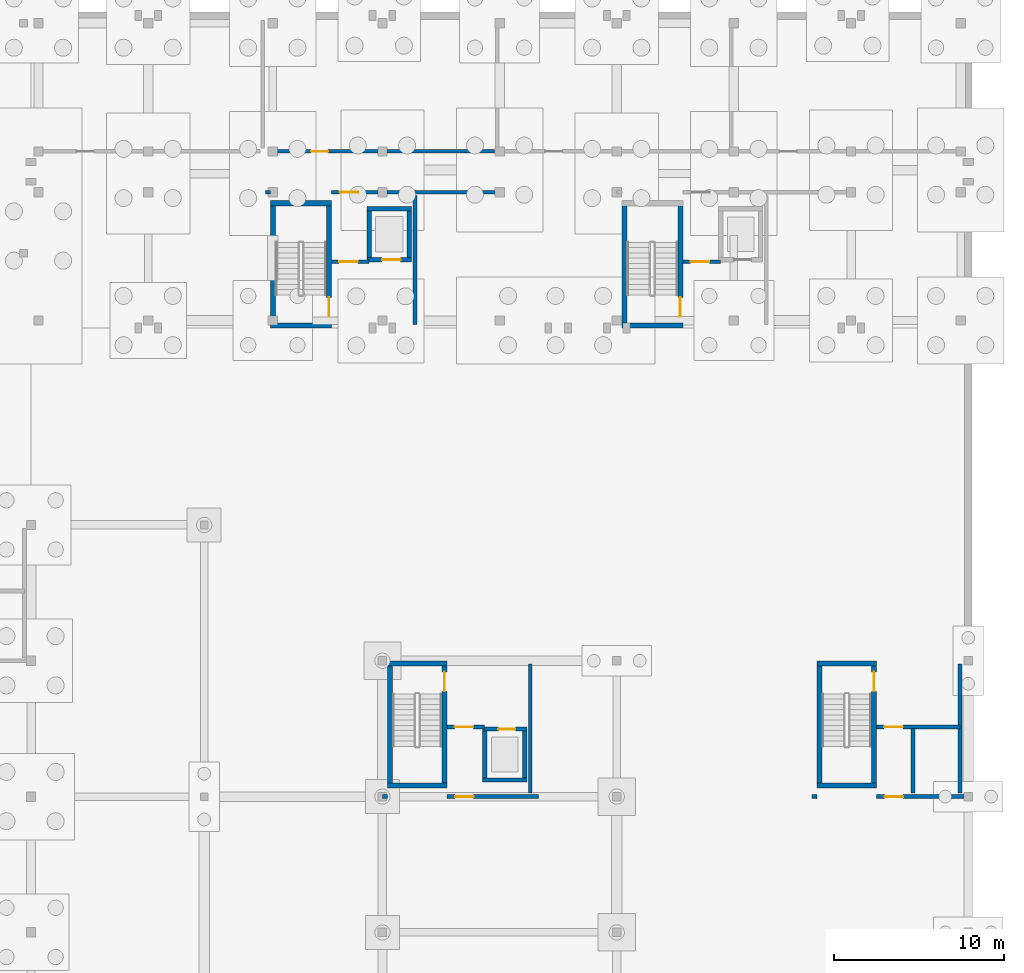
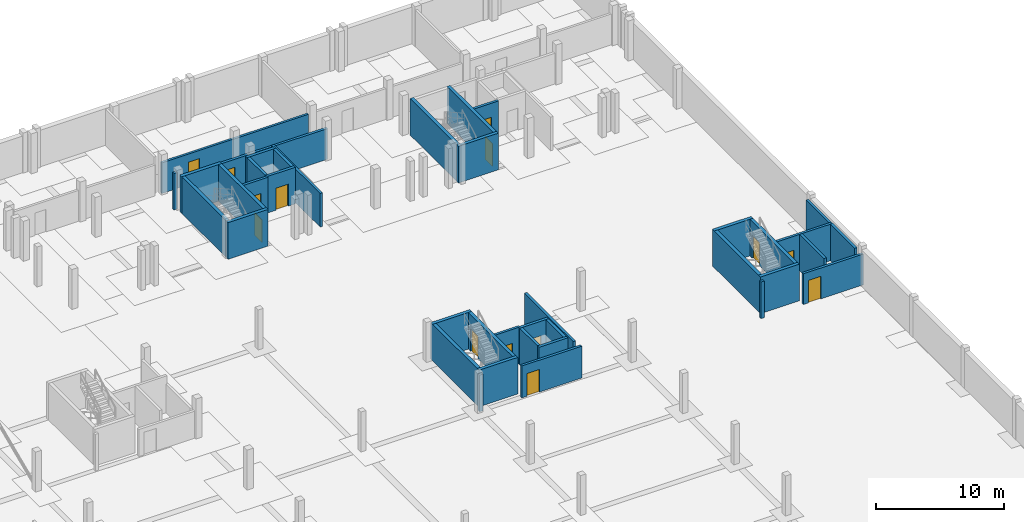
# One storey, part 28 of 38: 38 walls, 14 doors, 14 openings.
"""IFC4 building model written with IfcOpenShell, lengths in metres."""

from ifc_helpers import new_model, si_unit, direction, frame, frame_2d, origin, origin_with_axes, place, context, subcontext, project, spatial, rectangle, extrude, material, layer, layer_set, type_object, element, fill, save


model = new_model("IFC4")

# Units and contexts
model_context = context("Model", 3, precision=1e-05, world=origin(), true_north=direction((0.0, 1.0)))
body_context = subcontext(model_context, "Body", "Model", "MODEL_VIEW")
ifc_project = project(units=[si_unit("LENGTHUNIT", "METRE"), si_unit("AREAUNIT", "SQUARE_METRE"), si_unit("VOLUMEUNIT", "CUBIC_METRE"), si_unit("PLANEANGLEUNIT", "RADIAN"), si_unit("MASSUNIT", "GRAM", prefix="KILO")], contexts=[model_context])

# Site, building, storey
site_placement = place(None, origin())
site = spatial("IfcSite", under=ifc_project, at=site_placement, CompositionType="ELEMENT")
building_placement = place(site_placement, origin())
building = spatial("IfcBuilding", under=site, at=building_placement, Name="Zavelmont Quarter", CompositionType="ELEMENT")
storey_placement = place(building_placement, frame((0.0, 0.0, -3.800048828125)))
storey = spatial("IfcBuildingStorey", under=building, at=storey_placement, Name="B01", CompositionType="ELEMENT", Elevation=-3.800048828125)

# Wall, opening, door
ifc_material_1 = material(Name="Calcium-silicate blockwork and acoustic plaster", Category="masonry")
ifc_layer_1 = layer(ifc_material_1, 0.199951171875)
ifc_layer_set_1 = layer_set([ifc_layer_1], Name="Calcium-silicate blockwork and acoustic plaster")
wall_type_1 = type_object("IfcWallType", Name="IW01", PredefinedType="PARTITIONING", material=ifc_layer_set_1)
wall_1_placement = place(storey_placement, frame((126.89990234375, 108.0, 0.0), z_axis=(0.0, 0.0, 1.0), x_axis=(1.0, 0.0, 0.0)))
wall_1 = element("IfcWall", 1, at=wall_1_placement, inside=storey, type_object=wall_type_1, Name="B01 Basement storage wall IW01", PredefinedType="PARTITIONING", context=body_context, shape_type="SweptSolid", body=[
    extrude(rectangle(XDim=13.2001953125, YDim=0.199951171875, at=frame_2d((6.60009765625, 0.0))), origin(), (0.0, 0.0, 1.0), 2.920166015625),
])
opening_1_placement = place(wall_1_placement, frame((2.39990234375, 0.0, 0.0)))
opening_1 = element("IfcOpeningElement", 2, at=opening_1_placement, cuts=wall_1, Name="Opening DR07", PredefinedType="OPENING", context=body_context, shape_type="SweptSolid", body=[
    extrude(rectangle(XDim=1.0, YDim=2.14990234375, at=frame_2d((0.5, 1.074951171875))), frame((0.0, 0.11181640625, 0.0), z_axis=(0.0, -1.0, 0.0), x_axis=(1.0, 0.0, 0.0)), (0.0, 0.0, 1.0), 0.223876953125),
])
ifc_material_2 = material(Name="Solid-core oak fire leaf in steel frame", Category="steel")
door_type_1 = type_object("IfcDoorType", Name="DR07", OperationType="NOTDEFINED", PredefinedType="DOOR", material=ifc_material_2)
door_1_placement = place(opening_1_placement, origin_with_axes())
door_1 = element("IfcDoor", 3, at=door_1_placement, inside=storey, type_object=door_type_1, Name="B01 door DR07", OperationType="SINGLE_SWING_RIGHT", OverallHeight=2.14990234375, OverallWidth=1.0, PredefinedType="DOOR", context=body_context, shape_type="SweptSolid", body=[
    extrude(rectangle(XDim=1.0, YDim=2.14990234375, at=frame_2d((0.5, 1.074951171875))), frame((0.0, 0.02490234375, 0.0), z_axis=(0.0, -1.0, 0.0), x_axis=(1.0, 0.0, 0.0)), (0.0, 0.0, 1.0), 0.050048828125),
])
fill(opening_1, door_1)

# Wall
ifc_material_3 = material(Name="Reinforced masonry fire compartment wall", Category="masonry")
ifc_layer_2 = layer(ifc_material_3, 0.22509765625)
ifc_layer_set_2 = layer_set([ifc_layer_2], Name="Reinforced masonry fire compartment wall")
wall_type_2 = type_object("IfcWallType", Name="IW02", PredefinedType="PARTITIONING", material=ifc_layer_set_2)
wall_2_placement = place(storey_placement, frame((135.409912109375, 97.800048828125, 0.0), z_axis=(0.0, 0.0, 1.0), x_axis=(0.0, 1.0, 0.0)))
element("IfcWall", 4, at=wall_2_placement, inside=storey, type_object=wall_type_2, Name="B01 Firefighting lobby enclosure wall IW02", PredefinedType="PARTITIONING", context=body_context, shape_type="SweptSolid", body=[
    extrude(rectangle(XDim=7.599853515625, YDim=0.22509765625, at=frame_2d((3.7998046875, 0.0))), origin(), (0.0, 0.0, 1.0), 3.18994140625),
])

# Wall, opening, door
wall_3_placement = place(storey_placement, frame((130.5, 101.5, 0.0), z_axis=(0.0, 0.0, 1.0), x_axis=(1.0, 0.0, 0.0)))
wall_3 = element("IfcWall", 5, at=wall_3_placement, inside=storey, type_object=wall_type_2, Name="B01 Firefighting lobby threshold wall IW02", PredefinedType="PARTITIONING", context=body_context, shape_type="SweptSolid", body=[
    extrude(rectangle(XDim=2.199951171875, YDim=0.22509765625, at=frame_2d((1.10009765625, 0.0))), origin(), (0.0, 0.0, 1.0), 3.47998046875),
])
opening_2_placement = place(wall_3_placement, frame((0.449951171875, 0.0, 0.0)))
opening_2 = element("IfcOpeningElement", 6, at=opening_2_placement, cuts=wall_3, Name="Opening DR10", PredefinedType="OPENING", context=body_context, shape_type="SweptSolid", body=[
    extrude(rectangle(XDim=1.10009765625, YDim=2.14990234375, at=frame_2d((0.550048828125, 1.074951171875))), frame((0.0, 0.12451171875, 0.0), z_axis=(0.0, -1.0, 0.0), x_axis=(1.0, 0.0, 0.0)), (0.0, 0.0, 1.0), 0.2490234375),
])
ifc_material_4 = material(Name="Painted steel lobby fire door", Category="steel")
door_type_2 = type_object("IfcDoorType", Name="DR10", OperationType="NOTDEFINED", PredefinedType="DOOR", material=ifc_material_4)
door_2_placement = place(opening_2_placement, frame((1.10009765625, 0.0, 0.0), z_axis=(0.0, 0.0, 1.0), x_axis=(-1.0, 0.0, 0.0)))
door_2 = element("IfcDoor", 7, at=door_2_placement, inside=storey, type_object=door_type_2, Name="Firefighting lobby fire door", OperationType="SINGLE_SWING_LEFT", OverallHeight=2.14990234375, OverallWidth=1.10009765625, PredefinedType="DOOR", context=body_context, shape_type="SweptSolid", body=[
    extrude(rectangle(XDim=1.10009765625, YDim=2.14990234375, at=frame_2d((0.550048828125, 1.074951171875))), frame((0.0, 0.02490234375, 0.0), z_axis=(0.0, -1.0, 0.0), x_axis=(1.0, 0.0, 0.0)), (0.0, 0.0, 1.0), 0.050048828125),
])
fill(opening_2, door_2)

# Wall
wall_4_placement = place(storey_placement, frame((126.60009765625, 105.60009765625, 0.0), z_axis=(0.0, 0.0, 1.0), x_axis=(1.0, 0.0, 0.0)))
element("IfcWall", 8, at=wall_4_placement, inside=storey, type_object=wall_type_2, Name="B01 Core corridor wall IW02", PredefinedType="PARTITIONING", context=body_context, shape_type="SweptSolid", body=[
    extrude(rectangle(XDim=0.2998046875, YDim=0.22509765625, at=frame_2d((0.14990234375, 0.0))), origin(), (0.0, 0.0, 1.0), 3.47998046875),
])

# Wall, opening, door
wall_5_placement = place(storey_placement, frame((130.5, 105.60009765625, 0.0), z_axis=(0.0, 0.0, 1.0), x_axis=(1.0, 0.0, 0.0)))
wall_5 = element("IfcWall", 9, at=wall_5_placement, inside=storey, type_object=wall_type_2, Name="B01 Core corridor fire wall IW02", PredefinedType="PARTITIONING", context=body_context, shape_type="SweptSolid", body=[
    extrude(rectangle(XDim=9.89990234375, YDim=0.22509765625, at=frame_2d((4.949951171875, 0.0))), origin(), (0.0, 0.0, 1.0), 2.920166015625),
])
opening_3_placement = place(wall_5_placement, frame((0.47509765625, 0.0, 0.0)))
opening_3 = element("IfcOpeningElement", 10, at=opening_3_placement, cuts=wall_5, Name="Opening DR10", PredefinedType="OPENING", context=body_context, shape_type="SweptSolid", body=[
    extrude(rectangle(XDim=1.10009765625, YDim=2.14990234375, at=frame_2d((0.550048828125, 1.074951171875))), frame((0.0, 0.12451171875, 0.0), z_axis=(0.0, -1.0, 0.0), x_axis=(1.0, 0.0, 0.0)), (0.0, 0.0, 1.0), 0.2490234375),
])
door_3_placement = place(opening_3_placement, frame((1.10009765625, 0.0, 0.0), z_axis=(0.0, 0.0, 1.0), x_axis=(-1.0, 0.0, 0.0)))
door_3 = element("IfcDoor", 11, at=door_3_placement, inside=storey, type_object=door_type_2, Name="Core vestibule fire door", OperationType="SINGLE_SWING_RIGHT", OverallHeight=2.14990234375, OverallWidth=1.10009765625, PredefinedType="DOOR", context=body_context, shape_type="SweptSolid", body=[
    extrude(rectangle(XDim=1.10009765625, YDim=2.14990234375, at=frame_2d((0.550048828125, 1.074951171875))), frame((0.0, 0.02490234375, 0.0), z_axis=(0.0, -1.0, 0.0), x_axis=(1.0, 0.0, 0.0)), (0.0, 0.0, 1.0), 0.050048828125),
])
fill(opening_3, door_3)

wall_6_placement = place(storey_placement, frame((151.199951171875, 101.5, 0.0), z_axis=(0.0, 0.0, 1.0), x_axis=(1.0, 0.0, 0.0)))
wall_6 = element("IfcWall", 12, at=wall_6_placement, inside=storey, type_object=wall_type_2, Name="B01 Firefighting lobby threshold wall IW02", PredefinedType="PARTITIONING", context=body_context, shape_type="SweptSolid", body=[
    extrude(rectangle(XDim=2.199951171875, YDim=0.22509765625, at=frame_2d((1.10009765625, 0.0))), origin(), (0.0, 0.0, 1.0), 3.47998046875),
])
opening_4_placement = place(wall_6_placement, frame((0.449951171875, 0.0, 0.0)))
opening_4 = element("IfcOpeningElement", 13, at=opening_4_placement, cuts=wall_6, Name="Opening DR10", PredefinedType="OPENING", context=body_context, shape_type="SweptSolid", body=[
    extrude(rectangle(XDim=1.10009765625, YDim=2.14990234375, at=frame_2d((0.550048828125, 1.074951171875))), frame((0.0, 0.12451171875, 0.0), z_axis=(0.0, -1.0, 0.0), x_axis=(1.0, 0.0, 0.0)), (0.0, 0.0, 1.0), 0.2490234375),
])
door_4_placement = place(opening_4_placement, frame((1.10009765625, 0.0, 0.0), z_axis=(0.0, 0.0, 1.0), x_axis=(-1.0, 0.0, 0.0)))
door_4 = element("IfcDoor", 14, at=door_4_placement, inside=storey, type_object=door_type_2, Name="Firefighting lobby fire door", OperationType="SINGLE_SWING_RIGHT", OverallHeight=2.14990234375, OverallWidth=1.10009765625, PredefinedType="DOOR", context=body_context, shape_type="SweptSolid", body=[
    extrude(rectangle(XDim=1.10009765625, YDim=2.14990234375, at=frame_2d((0.550048828125, 1.074951171875))), frame((0.0, 0.02490234375, 0.0), z_axis=(0.0, -1.0, 0.0), x_axis=(1.0, 0.0, 0.0)), (0.0, 0.0, 1.0), 0.050048828125),
])
fill(opening_4, door_4)

# Wall
wall_7_placement = place(storey_placement, frame((142.2099609375, 70.199951171875, 0.0), z_axis=(0.0, 0.0, 1.0), x_axis=(0.0, 1.0, 0.0)))
element("IfcWall", 15, at=wall_7_placement, inside=storey, type_object=wall_type_2, Name="B01 Firefighting lobby enclosure wall IW02", PredefinedType="PARTITIONING", context=body_context, shape_type="SweptSolid", body=[
    extrude(rectangle(XDim=7.60009765625, YDim=0.22509765625, at=frame_2d((3.800048828125, 0.0))), origin(), (0.0, 0.0, 1.0), 3.47998046875),
])

# Wall, opening, door
wall_8_placement = place(storey_placement, frame((137.300048828125, 74.10009765625, 0.0), z_axis=(0.0, 0.0, 1.0), x_axis=(1.0, 0.0, 0.0)))
wall_8 = element("IfcWall", 16, at=wall_8_placement, inside=storey, type_object=wall_type_2, Name="B01 Firefighting lobby threshold wall IW02", PredefinedType="PARTITIONING", context=body_context, shape_type="SweptSolid", body=[
    extrude(rectangle(XDim=2.199951171875, YDim=0.22509765625, at=frame_2d((1.10009765625, 0.0))), origin(), (0.0, 0.0, 1.0), 3.47998046875),
])
opening_5_placement = place(wall_8_placement, frame((0.449951171875, 0.0, 0.0)))
opening_5 = element("IfcOpeningElement", 17, at=opening_5_placement, cuts=wall_8, Name="Opening DR10", PredefinedType="OPENING", context=body_context, shape_type="SweptSolid", body=[
    extrude(rectangle(XDim=1.10009765625, YDim=2.14990234375, at=frame_2d((0.550048828125, 1.074951171875))), frame((0.0, 0.12451171875, 0.0), z_axis=(0.0, -1.0, 0.0), x_axis=(1.0, 0.0, 0.0)), (0.0, 0.0, 1.0), 0.2490234375),
])
door_5_placement = place(opening_5_placement, origin_with_axes())
door_5 = element("IfcDoor", 18, at=door_5_placement, inside=storey, type_object=door_type_2, Name="Firefighting lobby fire door", OperationType="SINGLE_SWING_LEFT", OverallHeight=2.14990234375, OverallWidth=1.10009765625, PredefinedType="DOOR", context=body_context, shape_type="SweptSolid", body=[
    extrude(rectangle(XDim=1.10009765625, YDim=2.14990234375, at=frame_2d((0.550048828125, 1.074951171875))), frame((0.0, 0.02490234375, 0.0), z_axis=(0.0, -1.0, 0.0), x_axis=(1.0, 0.0, 0.0)), (0.0, 0.0, 1.0), 0.050048828125),
])
fill(opening_5, door_5)

# Wall
wall_9_placement = place(storey_placement, frame((133.5, 70.0, 0.0), z_axis=(0.0, 0.0, 1.0), x_axis=(1.0, 0.0, 0.0)))
element("IfcWall", 19, at=wall_9_placement, inside=storey, type_object=wall_type_2, Name="B01 Core corridor wall IW02", PredefinedType="PARTITIONING", context=body_context, shape_type="SweptSolid", body=[
    extrude(rectangle(XDim=0.300048828125, YDim=0.22509765625, at=frame_2d((0.14990234375, 0.0))), origin(), (0.0, 0.0, 1.0), 3.47998046875),
])

# Wall, opening, door
wall_10_placement = place(storey_placement, frame((137.300048828125, 70.0, 0.0), z_axis=(0.0, 0.0, 1.0), x_axis=(1.0, 0.0, 0.0)))
wall_10 = element("IfcWall", 20, at=wall_10_placement, inside=storey, type_object=wall_type_2, Name="B01 Core corridor fire wall IW02", PredefinedType="PARTITIONING", context=body_context, shape_type="SweptSolid", body=[
    extrude(rectangle(XDim=5.39990234375, YDim=0.22509765625, at=frame_2d((2.699951171875, 0.0))), origin(), (0.0, 0.0, 1.0), 3.030029296875),
])
opening_6_placement = place(wall_10_placement, frame((0.47509765625, 0.0, 0.0)))
opening_6 = element("IfcOpeningElement", 21, at=opening_6_placement, cuts=wall_10, Name="Opening DR10", PredefinedType="OPENING", context=body_context, shape_type="SweptSolid", body=[
    extrude(rectangle(XDim=1.10009765625, YDim=2.14990234375, at=frame_2d((0.550048828125, 1.074951171875))), frame((0.0, 0.12451171875, 0.0), z_axis=(0.0, -1.0, 0.0), x_axis=(1.0, 0.0, 0.0)), (0.0, 0.0, 1.0), 0.2490234375),
])
door_6_placement = place(opening_6_placement, origin_with_axes())
door_6 = element("IfcDoor", 22, at=door_6_placement, inside=storey, type_object=door_type_2, Name="Core vestibule fire door", OperationType="SINGLE_SWING_RIGHT", OverallHeight=2.14990234375, OverallWidth=1.10009765625, PredefinedType="DOOR", context=body_context, shape_type="SweptSolid", body=[
    extrude(rectangle(XDim=1.10009765625, YDim=2.14990234375, at=frame_2d((0.550048828125, 1.074951171875))), frame((0.0, 0.02490234375, 0.0), z_axis=(0.0, -1.0, 0.0), x_axis=(1.0, 0.0, 0.0)), (0.0, 0.0, 1.0), 0.050048828125),
])
fill(opening_6, door_6)

# Walls
wall_11_placement = place(storey_placement, frame((167.510009765625, 70.199951171875, 0.0), z_axis=(0.0, 0.0, 1.0), x_axis=(0.0, 1.0, 0.0)))
element("IfcWall", 23, at=wall_11_placement, inside=storey, type_object=wall_type_2, Name="B01 Firefighting lobby enclosure wall IW02", PredefinedType="PARTITIONING", context=body_context, shape_type="SweptSolid", body=[
    extrude(rectangle(XDim=7.60009765625, YDim=0.22509765625, at=frame_2d((3.800048828125, 0.0))), origin(), (0.0, 0.0, 1.0), 3.47998046875),
])
wall_12_placement = place(storey_placement, frame((164.75, 70.199951171875, 0.0), z_axis=(0.0, 0.0, 1.0), x_axis=(0.0, 1.0, 0.0)))
element("IfcWall", 24, at=wall_12_placement, inside=storey, type_object=wall_type_2, Name="B01 Vestibule side wall IW02", PredefinedType="PARTITIONING", context=body_context, shape_type="SweptSolid", body=[
    extrude(rectangle(XDim=3.800048828125, YDim=0.22509765625, at=frame_2d((1.89990234375, 0.0))), origin(), (0.0, 0.0, 1.0), 3.47998046875),
])

# Wall, opening, door
wall_13_placement = place(storey_placement, frame((162.60009765625, 74.10009765625, 0.0), z_axis=(0.0, 0.0, 1.0), x_axis=(1.0, 0.0, 0.0)))
wall_13 = element("IfcWall", 25, at=wall_13_placement, inside=storey, type_object=wall_type_2, Name="B01 Firefighting lobby threshold wall IW02", PredefinedType="PARTITIONING", context=body_context, shape_type="SweptSolid", body=[
    extrude(rectangle(XDim=4.909912109375, YDim=0.22509765625, at=frame_2d((2.455078125, 0.0))), origin(), (0.0, 0.0, 1.0), 3.47998046875),
])
opening_7_placement = place(wall_13_placement, frame((0.449951171875, 0.0, 0.0)))
opening_7 = element("IfcOpeningElement", 26, at=opening_7_placement, cuts=wall_13, Name="Opening DR10", PredefinedType="OPENING", context=body_context, shape_type="SweptSolid", body=[
    extrude(rectangle(XDim=1.10009765625, YDim=2.14990234375, at=frame_2d((0.550048828125, 1.074951171875))), frame((0.0, 0.12451171875, 0.0), z_axis=(0.0, -1.0, 0.0), x_axis=(1.0, 0.0, 0.0)), (0.0, 0.0, 1.0), 0.2490234375),
])
door_7_placement = place(opening_7_placement, origin_with_axes())
door_7 = element("IfcDoor", 27, at=door_7_placement, inside=storey, type_object=door_type_2, Name="Firefighting lobby fire door", OperationType="SINGLE_SWING_RIGHT", OverallHeight=2.14990234375, OverallWidth=1.10009765625, PredefinedType="DOOR", context=body_context, shape_type="SweptSolid", body=[
    extrude(rectangle(XDim=1.10009765625, YDim=2.14990234375, at=frame_2d((0.550048828125, 1.074951171875))), frame((0.0, 0.02490234375, 0.0), z_axis=(0.0, -1.0, 0.0), x_axis=(1.0, 0.0, 0.0)), (0.0, 0.0, 1.0), 0.050048828125),
])
fill(opening_7, door_7)

# Wall
wall_14_placement = place(storey_placement, frame((158.800048828125, 70.0, 0.0), z_axis=(0.0, 0.0, 1.0), x_axis=(1.0, 0.0, 0.0)))
element("IfcWall", 28, at=wall_14_placement, inside=storey, type_object=wall_type_2, Name="B01 Core corridor wall IW02", PredefinedType="PARTITIONING", context=body_context, shape_type="SweptSolid", body=[
    extrude(rectangle(XDim=0.300048828125, YDim=0.22509765625, at=frame_2d((0.14990234375, 0.0))), origin(), (0.0, 0.0, 1.0), 3.47998046875),
])

# Wall, opening, door
wall_15_placement = place(storey_placement, frame((162.60009765625, 70.0, 0.0), z_axis=(0.0, 0.0, 1.0), x_axis=(1.0, 0.0, 0.0)))
wall_15 = element("IfcWall", 29, at=wall_15_placement, inside=storey, type_object=wall_type_2, Name="B01 Core corridor fire wall IW02", PredefinedType="PARTITIONING", context=body_context, shape_type="SweptSolid", body=[
    extrude(rectangle(XDim=5.39990234375, YDim=0.22509765625, at=frame_2d((2.699951171875, 0.0))), origin(), (0.0, 0.0, 1.0), 2.929931640625),
])
opening_8_placement = place(wall_15_placement, frame((0.47509765625, 0.0, 0.0)))
opening_8 = element("IfcOpeningElement", 30, at=opening_8_placement, cuts=wall_15, Name="Opening DR10", PredefinedType="OPENING", context=body_context, shape_type="SweptSolid", body=[
    extrude(rectangle(XDim=1.10009765625, YDim=2.14990234375, at=frame_2d((0.550048828125, 1.074951171875))), frame((0.0, 0.12451171875, 0.0), z_axis=(0.0, -1.0, 0.0), x_axis=(1.0, 0.0, 0.0)), (0.0, 0.0, 1.0), 0.2490234375),
])
door_8_placement = place(opening_8_placement, origin_with_axes())
door_8 = element("IfcDoor", 31, at=door_8_placement, inside=storey, type_object=door_type_2, Name="Core vestibule fire door", OperationType="SINGLE_SWING_LEFT", OverallHeight=2.14990234375, OverallWidth=1.10009765625, PredefinedType="DOOR", context=body_context, shape_type="SweptSolid", body=[
    extrude(rectangle(XDim=1.10009765625, YDim=2.14990234375, at=frame_2d((0.550048828125, 1.074951171875))), frame((0.0, 0.02490234375, 0.0), z_axis=(0.0, -1.0, 0.0), x_axis=(1.0, 0.0, 0.0)), (0.0, 0.0, 1.0), 0.050048828125),
])
fill(opening_8, door_8)

# Walls
ifc_material_5 = material(Name="Concrete C40/50", Category="concrete")
ifc_layer_3 = layer(ifc_material_5, 0.300048828125)
ifc_layer_set_3 = layer_set([ifc_layer_3], Name="Concrete C40/50")
wall_type_3 = type_object("IfcWallType", Name="SW01", PredefinedType="SHEAR", material=ifc_layer_set_3)
for number, where, z_axis, x_axis, name in (
    (32, (126.89990234375, 97.75, 0.0), (0.0, 0.0, 1.0), (1.0, 0.0, 0.0), "B01 ST05 outer shear wall SW01"),
    (33, (126.89990234375, 104.949951171875, 0.0), (0.0, 0.0, 1.0), (1.0, 0.0, 0.0), "B01 ST05 corridor shear wall SW01"),
):
    element("IfcWall", number, at=place(storey_placement, frame(where, z_axis=z_axis, x_axis=x_axis)), inside=storey, type_object=wall_type_3, Name=name, PredefinedType="SHEAR", context=body_context, shape_type="SweptSolid", body=[
        extrude(rectangle(XDim=3.60009765625, YDim=0.300048828125, at=frame_2d((1.800048828125, 0.0))), origin(), (0.0, 0.0, 1.0), 3.47998046875),
    ])
wall_16_placement = place(storey_placement, frame((127.050048828125, 97.60009765625, 0.0), z_axis=(0.0, 0.0, 1.0), x_axis=(0.0, 1.0, 0.0)))
element("IfcWall", 34, at=wall_16_placement, inside=storey, type_object=wall_type_3, Name="B01 ST05 west shear wall SW01", PredefinedType="SHEAR", context=body_context, shape_type="SweptSolid", body=[
    extrude(rectangle(XDim=7.5, YDim=0.300048828125, at=frame_2d((3.75, 0.0))), origin(), (0.0, 0.0, 1.0), 3.47998046875),
])

# Wall, opening, door
wall_17_placement = place(storey_placement, frame((130.35009765625, 97.60009765625, 0.0), z_axis=(0.0, 0.0, 1.0), x_axis=(0.0, 1.0, 0.0)))
wall_17 = element("IfcWall", 35, at=wall_17_placement, inside=storey, type_object=wall_type_3, Name="B01 ST05 lobby shear wall SW01", PredefinedType="SHEAR", context=body_context, shape_type="SweptSolid", body=[
    extrude(rectangle(XDim=7.5, YDim=0.300048828125, at=frame_2d((3.75, 0.0))), origin(), (0.0, 0.0, 1.0), 3.47998046875),
])
opening_9_placement = place(wall_17_placement, frame((0.64990234375, 0.0, 0.0)))
opening_9 = element("IfcOpeningElement", 36, at=opening_9_placement, cuts=wall_17, Name="Opening DR09", PredefinedType="OPENING", context=body_context, shape_type="SweptSolid", body=[
    extrude(rectangle(XDim=1.14990234375, YDim=2.14990234375, at=frame_2d((0.574951171875, 1.074951171875))), frame((0.0, 0.162109375, 0.0), z_axis=(0.0, -1.0, 0.0), x_axis=(1.0, 0.0, 0.0)), (0.0, 0.0, 1.0), 0.323974609375),
])
ifc_material_6 = material(Name="Painted steel stair-core fire door", Category="steel")
door_type_3 = type_object("IfcDoorType", Name="DR09", OperationType="NOTDEFINED", PredefinedType="DOOR", material=ifc_material_6)
door_9_placement = place(opening_9_placement, origin_with_axes())
door_9 = element("IfcDoor", 37, at=door_9_placement, inside=storey, type_object=door_type_3, Name="ST05 protected stair door", OperationType="SINGLE_SWING_RIGHT", OverallHeight=2.14990234375, OverallWidth=1.14990234375, PredefinedType="DOOR", context=body_context, shape_type="SweptSolid", body=[
    extrude(rectangle(XDim=1.14990234375, YDim=2.14990234375, at=frame_2d((0.574951171875, 1.074951171875))), frame((0.0, 0.02490234375, 0.0), z_axis=(0.0, -1.0, 0.0), x_axis=(1.0, 0.0, 0.0)), (0.0, 0.0, 1.0), 0.050048828125),
])
fill(opening_9, door_9)

# Walls
wall_18_placement = place(storey_placement, frame((147.60009765625, 97.75, 0.0), z_axis=(0.0, 0.0, 1.0), x_axis=(1.0, 0.0, 0.0)))
element("IfcWall", 38, at=wall_18_placement, inside=storey, type_object=wall_type_3, Name="B01 ST06 outer shear wall SW01", PredefinedType="SHEAR", context=body_context, shape_type="SweptSolid", body=[
    extrude(rectangle(XDim=3.599853515625, YDim=0.300048828125, at=frame_2d((1.7998046875, 0.0))), origin(), (0.0, 0.0, 1.0), 3.47998046875),
])
wall_19_placement = place(storey_placement, frame((147.75, 97.60009765625, 0.0), z_axis=(0.0, 0.0, 1.0), x_axis=(0.0, 1.0, 0.0)))
element("IfcWall", 39, at=wall_19_placement, inside=storey, type_object=wall_type_3, Name="B01 ST06 west shear wall SW01", PredefinedType="SHEAR", context=body_context, shape_type="SweptSolid", body=[
    extrude(rectangle(XDim=7.5, YDim=0.300048828125, at=frame_2d((3.75, 0.0))), origin(), (0.0, 0.0, 1.0), 3.47998046875),
])

# Wall, opening, door
wall_20_placement = place(storey_placement, frame((151.050048828125, 97.60009765625, 0.0), z_axis=(0.0, 0.0, 1.0), x_axis=(0.0, 1.0, 0.0)))
wall_20 = element("IfcWall", 40, at=wall_20_placement, inside=storey, type_object=wall_type_3, Name="B01 ST06 lobby shear wall SW01", PredefinedType="SHEAR", context=body_context, shape_type="SweptSolid", body=[
    extrude(rectangle(XDim=7.5, YDim=0.300048828125, at=frame_2d((3.75, 0.0))), origin(), (0.0, 0.0, 1.0), 3.47998046875),
])
opening_10_placement = place(wall_20_placement, frame((0.64990234375, 0.0, 0.0)))
opening_10 = element("IfcOpeningElement", 41, at=opening_10_placement, cuts=wall_20, Name="Opening DR09", PredefinedType="OPENING", context=body_context, shape_type="SweptSolid", body=[
    extrude(rectangle(XDim=1.14990234375, YDim=2.14990234375, at=frame_2d((0.574951171875, 1.074951171875))), frame((0.0, 0.162109375, 0.0), z_axis=(0.0, -1.0, 0.0), x_axis=(1.0, 0.0, 0.0)), (0.0, 0.0, 1.0), 0.323974609375),
])
door_10_placement = place(opening_10_placement, origin_with_axes())
door_10 = element("IfcDoor", 42, at=door_10_placement, inside=storey, type_object=door_type_3, Name="ST06 protected stair door", OperationType="SINGLE_SWING_RIGHT", OverallHeight=2.14990234375, OverallWidth=1.14990234375, PredefinedType="DOOR", context=body_context, shape_type="SweptSolid", body=[
    extrude(rectangle(XDim=1.14990234375, YDim=2.14990234375, at=frame_2d((0.574951171875, 1.074951171875))), frame((0.0, 0.02490234375, 0.0), z_axis=(0.0, -1.0, 0.0), x_axis=(1.0, 0.0, 0.0)), (0.0, 0.0, 1.0), 0.050048828125),
])
fill(opening_10, door_10)

# Walls
for number, where, z_axis, x_axis, name in (
    (43, (133.800048828125, 77.85009765625, 0.0), (0.0, 0.0, 1.0), (1.0, 0.0, 0.0), "B01 ST11 outer shear wall SW01"),
    (44, (133.800048828125, 70.64990234375, 0.0), (0.0, 0.0, 1.0), (1.0, 0.0, 0.0), "B01 ST11 corridor shear wall SW01"),
):
    element("IfcWall", number, at=place(storey_placement, frame(where, z_axis=z_axis, x_axis=x_axis)), inside=storey, type_object=wall_type_3, Name=name, PredefinedType="SHEAR", context=body_context, shape_type="SweptSolid", body=[
        extrude(rectangle(XDim=3.5, YDim=0.300048828125, at=frame_2d((1.75, 0.0))), origin(), (0.0, 0.0, 1.0), 3.47998046875),
    ])
wall_21_placement = place(storey_placement, frame((133.949951171875, 70.5, 0.0), z_axis=(0.0, 0.0, 1.0), x_axis=(0.0, 1.0, 0.0)))
element("IfcWall", 45, at=wall_21_placement, inside=storey, type_object=wall_type_3, Name="B01 ST11 west shear wall SW01", PredefinedType="SHEAR", context=body_context, shape_type="SweptSolid", body=[
    extrude(rectangle(XDim=7.5, YDim=0.300048828125, at=frame_2d((3.75, 0.0))), origin(), (0.0, 0.0, 1.0), 3.47998046875),
])

# Wall, opening, door
wall_22_placement = place(storey_placement, frame((137.14990234375, 70.5, 0.0), z_axis=(0.0, 0.0, 1.0), x_axis=(0.0, 1.0, 0.0)))
wall_22 = element("IfcWall", 46, at=wall_22_placement, inside=storey, type_object=wall_type_3, Name="B01 ST11 lobby shear wall SW01", PredefinedType="SHEAR", context=body_context, shape_type="SweptSolid", body=[
    extrude(rectangle(XDim=7.5, YDim=0.300048828125, at=frame_2d((3.75, 0.0))), origin(), (0.0, 0.0, 1.0), 3.47998046875),
])
opening_11_placement = place(wall_22_placement, frame((5.699951171875, 0.0, 0.0)))
opening_11 = element("IfcOpeningElement", 47, at=opening_11_placement, cuts=wall_22, Name="Opening DR09", PredefinedType="OPENING", context=body_context, shape_type="SweptSolid", body=[
    extrude(rectangle(XDim=1.14990234375, YDim=2.14990234375, at=frame_2d((0.574951171875, 1.074951171875))), frame((0.0, 0.162109375, 0.0), z_axis=(0.0, -1.0, 0.0), x_axis=(1.0, 0.0, 0.0)), (0.0, 0.0, 1.0), 0.323974609375),
])
door_11_placement = place(opening_11_placement, origin_with_axes())
door_11 = element("IfcDoor", 48, at=door_11_placement, inside=storey, type_object=door_type_3, Name="ST11 protected stair door", OperationType="SINGLE_SWING_LEFT", OverallHeight=2.14990234375, OverallWidth=1.14990234375, PredefinedType="DOOR", context=body_context, shape_type="SweptSolid", body=[
    extrude(rectangle(XDim=1.14990234375, YDim=2.14990234375, at=frame_2d((0.574951171875, 1.074951171875))), frame((0.0, 0.02490234375, 0.0), z_axis=(0.0, -1.0, 0.0), x_axis=(1.0, 0.0, 0.0)), (0.0, 0.0, 1.0), 0.050048828125),
])
fill(opening_11, door_11)

# Walls
for number, where, z_axis, x_axis, name in (
    (49, (159.10009765625, 77.85009765625, 0.0), (0.0, 0.0, 1.0), (1.0, 0.0, 0.0), "B01 ST12 outer shear wall SW01"),
    (50, (159.10009765625, 70.64990234375, 0.0), (0.0, 0.0, 1.0), (1.0, 0.0, 0.0), "B01 ST12 corridor shear wall SW01"),
):
    element("IfcWall", number, at=place(storey_placement, frame(where, z_axis=z_axis, x_axis=x_axis)), inside=storey, type_object=wall_type_3, Name=name, PredefinedType="SHEAR", context=body_context, shape_type="SweptSolid", body=[
        extrude(rectangle(XDim=3.5, YDim=0.300048828125, at=frame_2d((1.75, 0.0))), origin(), (0.0, 0.0, 1.0), 3.47998046875),
    ])
wall_23_placement = place(storey_placement, frame((159.25, 70.5, 0.0), z_axis=(0.0, 0.0, 1.0), x_axis=(0.0, 1.0, 0.0)))
element("IfcWall", 51, at=wall_23_placement, inside=storey, type_object=wall_type_3, Name="B01 ST12 west shear wall SW01", PredefinedType="SHEAR", context=body_context, shape_type="SweptSolid", body=[
    extrude(rectangle(XDim=7.5, YDim=0.300048828125, at=frame_2d((3.75, 0.0))), origin(), (0.0, 0.0, 1.0), 3.47998046875),
])

# Wall, opening, door
wall_24_placement = place(storey_placement, frame((162.449951171875, 70.5, 0.0), z_axis=(0.0, 0.0, 1.0), x_axis=(0.0, 1.0, 0.0)))
wall_24 = element("IfcWall", 52, at=wall_24_placement, inside=storey, type_object=wall_type_3, Name="B01 ST12 lobby shear wall SW01", PredefinedType="SHEAR", context=body_context, shape_type="SweptSolid", body=[
    extrude(rectangle(XDim=7.5, YDim=0.300048828125, at=frame_2d((3.75, 0.0))), origin(), (0.0, 0.0, 1.0), 3.47998046875),
])
opening_12_placement = place(wall_24_placement, frame((5.699951171875, 0.0, 0.0)))
opening_12 = element("IfcOpeningElement", 53, at=opening_12_placement, cuts=wall_24, Name="Opening DR09", PredefinedType="OPENING", context=body_context, shape_type="SweptSolid", body=[
    extrude(rectangle(XDim=1.14990234375, YDim=2.14990234375, at=frame_2d((0.574951171875, 1.074951171875))), frame((0.0, 0.162109375, 0.0), z_axis=(0.0, -1.0, 0.0), x_axis=(1.0, 0.0, 0.0)), (0.0, 0.0, 1.0), 0.323974609375),
])
door_12_placement = place(opening_12_placement, origin_with_axes())
door_12 = element("IfcDoor", 54, at=door_12_placement, inside=storey, type_object=door_type_3, Name="ST12 protected stair door", OperationType="SINGLE_SWING_LEFT", OverallHeight=2.14990234375, OverallWidth=1.14990234375, PredefinedType="DOOR", context=body_context, shape_type="SweptSolid", body=[
    extrude(rectangle(XDim=1.14990234375, YDim=2.14990234375, at=frame_2d((0.574951171875, 1.074951171875))), frame((0.0, 0.02490234375, 0.0), z_axis=(0.0, -1.0, 0.0), x_axis=(1.0, 0.0, 0.0)), (0.0, 0.0, 1.0), 0.050048828125),
])
fill(opening_12, door_12)

ifc_layer_4 = layer(ifc_material_5, 0.25)
ifc_layer_set_4 = layer_set([ifc_layer_4], Name="Concrete C40/50")
wall_type_4 = type_object("IfcWallType", Name="SW02", PredefinedType="SHEAR", material=ifc_layer_set_4)
wall_25_placement = place(storey_placement, frame((132.60009765625, 101.625, 0.0), z_axis=(0.0, 0.0, 1.0), x_axis=(1.0, 0.0, 0.0)))
wall_25 = element("IfcWall", 55, at=wall_25_placement, inside=storey, type_object=wall_type_4, Name="B01 Lift FL03 landing shaft wall SW02", PredefinedType="SHEAR", context=body_context, shape_type="SweptSolid", body=[
    extrude(rectangle(XDim=2.599853515625, YDim=0.25, at=frame_2d((1.2998046875, 0.0))), origin(), (0.0, 0.0, 1.0), 3.47998046875),
])
opening_13_placement = place(wall_25_placement, frame((0.875, 0.0, 0.0)))
opening_13 = element("IfcOpeningElement", 56, at=opening_13_placement, cuts=wall_25, Name="Opening LD02", PredefinedType="OPENING", context=body_context, shape_type="SweptSolid", body=[
    extrude(rectangle(XDim=1.10009765625, YDim=2.10009765625, at=frame_2d((0.550048828125, 1.050048828125))), frame((0.0, 0.136962890625, 0.0), z_axis=(0.0, -1.0, 0.0), x_axis=(1.0, 0.0, 0.0)), (0.0, 0.0, 1.0), 0.27392578125),
])
ifc_material_7 = material(Name="Brushed stainless-steel firefighting lift landing door", Category="steel")
door_type_4 = type_object("IfcDoorType", Name="LD02", OperationType="SLIDING_TO_LEFT", PredefinedType="DOOR", material=ifc_material_7)
door_13_placement = place(opening_13_placement, origin_with_axes())
door_13 = element("IfcDoor", 57, at=door_13_placement, inside=storey, type_object=door_type_4, Name="Lift FL03 sliding landing door", OperationType="SLIDING_TO_LEFT", OverallHeight=2.10009765625, OverallWidth=1.10009765625, PredefinedType="DOOR", context=body_context, shape_type="SweptSolid", body=[
    extrude(rectangle(XDim=1.10009765625, YDim=2.10009765625, at=frame_2d((0.550048828125, 1.050048828125))), frame((0.0, 0.02490234375, 0.0), z_axis=(0.0, -1.0, 0.0), x_axis=(1.0, 0.0, 0.0)), (0.0, 0.0, 1.0), 0.050048828125),
])
fill(opening_13, door_13)

# Walls
wall_26_placement = place(storey_placement, frame((132.60009765625, 104.625, 0.0), z_axis=(0.0, 0.0, 1.0), x_axis=(1.0, 0.0, 0.0)))
element("IfcWall", 58, at=wall_26_placement, inside=storey, type_object=wall_type_4, Name="B01 Lift FL03 back shaft wall SW02", PredefinedType="SHEAR", context=body_context, shape_type="SweptSolid", body=[
    extrude(rectangle(XDim=2.599853515625, YDim=0.25, at=frame_2d((1.2998046875, 0.0))), origin(), (0.0, 0.0, 1.0), 3.47998046875),
])
for number, where, z_axis, x_axis, name in (
    (59, (132.72509765625, 101.5, 0.0), (0.0, 0.0, 1.0), (0.0, 1.0, 0.0), "B01 Lift FL03 west shaft wall SW02"),
    (60, (135.074951171875, 101.5, 0.0), (0.0, 0.0, 1.0), (0.0, 1.0, 0.0), "B01 Lift FL03 east shaft wall SW02"),
):
    element("IfcWall", number, at=place(storey_placement, frame(where, z_axis=z_axis, x_axis=x_axis)), inside=storey, type_object=wall_type_4, Name=name, PredefinedType="SHEAR", context=body_context, shape_type="SweptSolid", body=[
        extrude(rectangle(XDim=3.25, YDim=0.25, at=frame_2d((1.625, 0.0))), origin(), (0.0, 0.0, 1.0), 3.47998046875),
    ])

# Wall, opening, door
wall_27_placement = place(storey_placement, frame((139.39990234375, 73.97509765625, 0.0), z_axis=(0.0, 0.0, 1.0), x_axis=(1.0, 0.0, 0.0)))
wall_27 = element("IfcWall", 61, at=wall_27_placement, inside=storey, type_object=wall_type_4, Name="B01 Lift LF10 landing shaft wall SW02", PredefinedType="SHEAR", context=body_context, shape_type="SweptSolid", body=[
    extrude(rectangle(XDim=2.60009765625, YDim=0.25, at=frame_2d((1.300048828125, 0.0))), origin(), (0.0, 0.0, 1.0), 3.47998046875),
])
opening_14_placement = place(wall_27_placement, frame((0.925048828125, 0.0, 0.0)))
opening_14 = element("IfcOpeningElement", 62, at=opening_14_placement, cuts=wall_27, Name="Opening LD01", PredefinedType="OPENING", context=body_context, shape_type="SweptSolid", body=[
    extrude(rectangle(XDim=1.0, YDim=2.10009765625, at=frame_2d((0.5, 1.050048828125))), frame((0.0, 0.136962890625, 0.0), z_axis=(0.0, -1.0, 0.0), x_axis=(1.0, 0.0, 0.0)), (0.0, 0.0, 1.0), 0.27392578125),
])
ifc_material_8 = material(Name="Brushed stainless-steel automatic sliding landing door", Category="steel")
door_type_5 = type_object("IfcDoorType", Name="LD01", OperationType="SLIDING_TO_LEFT", PredefinedType="DOOR", material=ifc_material_8)
door_14_placement = place(opening_14_placement, origin_with_axes())
door_14 = element("IfcDoor", 63, at=door_14_placement, inside=storey, type_object=door_type_5, Name="Lift LF10 sliding landing door", OperationType="SLIDING_TO_LEFT", OverallHeight=2.10009765625, OverallWidth=1.0, PredefinedType="DOOR", context=body_context, shape_type="SweptSolid", body=[
    extrude(rectangle(XDim=1.0, YDim=2.10009765625, at=frame_2d((0.5, 1.050048828125))), frame((0.0, 0.02490234375, 0.0), z_axis=(0.0, -1.0, 0.0), x_axis=(1.0, 0.0, 0.0)), (0.0, 0.0, 1.0), 0.050048828125),
])
fill(opening_14, door_14)

# Walls
wall_28_placement = place(storey_placement, frame((139.39990234375, 70.97509765625, 0.0), z_axis=(0.0, 0.0, 1.0), x_axis=(1.0, 0.0, 0.0)))
element("IfcWall", 64, at=wall_28_placement, inside=storey, type_object=wall_type_4, Name="B01 Lift LF10 back shaft wall SW02", PredefinedType="SHEAR", context=body_context, shape_type="SweptSolid", body=[
    extrude(rectangle(XDim=2.60009765625, YDim=0.25, at=frame_2d((1.300048828125, 0.0))), origin(), (0.0, 0.0, 1.0), 3.47998046875),
])
for number, where, z_axis, x_axis, name in (
    (65, (139.52490234375, 70.85009765625, 0.0), (0.0, 0.0, 1.0), (0.0, 1.0, 0.0), "B01 Lift LF10 west shaft wall SW02"),
    (66, (141.875, 70.85009765625, 0.0), (0.0, 0.0, 1.0), (0.0, 1.0, 0.0), "B01 Lift LF10 east shaft wall SW02"),
):
    element("IfcWall", number, at=place(storey_placement, frame(where, z_axis=z_axis, x_axis=x_axis)), inside=storey, type_object=wall_type_4, Name=name, PredefinedType="SHEAR", context=body_context, shape_type="SweptSolid", body=[
        extrude(rectangle(XDim=3.25, YDim=0.25, at=frame_2d((1.625, 0.0))), origin(), (0.0, 0.0, 1.0), 3.47998046875),
    ])

save(model, "model.ifc")
